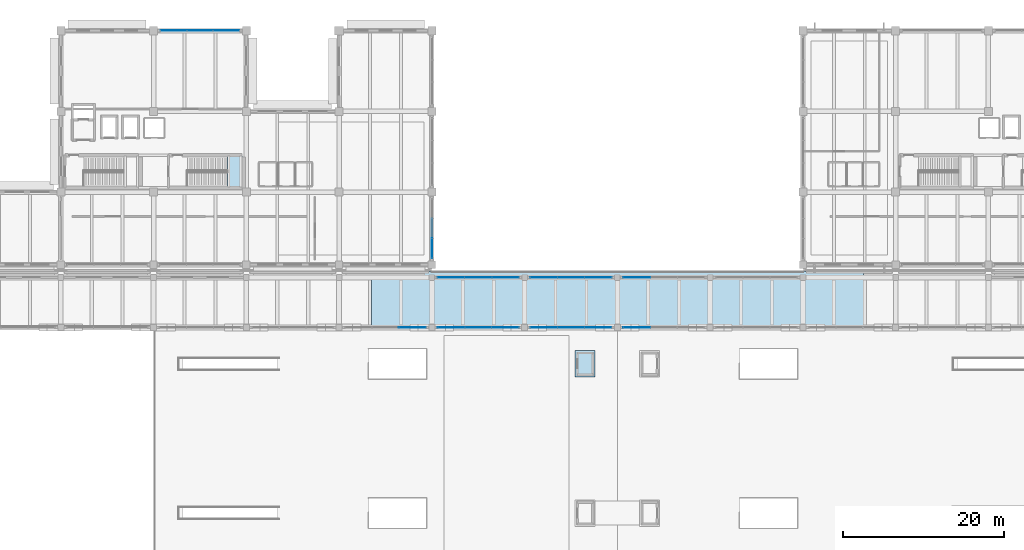
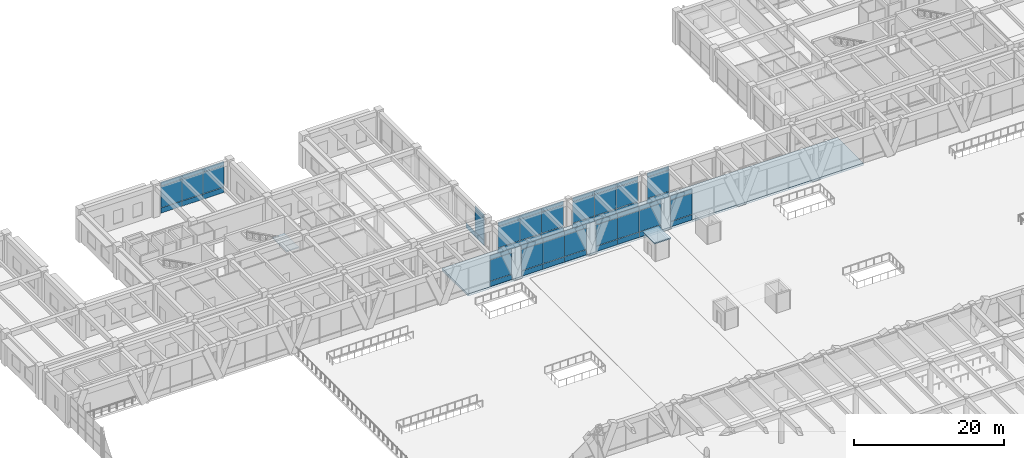
# One storey, part 118 of 148: 58 plates, 3 slabs, 10 elements without a shape of their own.
"""IFC4 building model written with IfcOpenShell, lengths in metres."""

from ifc_helpers import new_model, si_unit, direction, frame, origin, origin_2d, place, context, subcontext, project, spatial, polyline, rectangle, outline, extrude, material, layer, layer_set, type_object, element, aggregate, save


model = new_model("IFC4")

# Units and contexts
model_context = context("Model", 3, precision=1e-05, world=origin(), true_north=direction((0.0, 1.0)))
body_context = subcontext(model_context, "Body", "Model", "MODEL_VIEW")
ifc_project = project(units=[si_unit("LENGTHUNIT", "METRE"), si_unit("AREAUNIT", "SQUARE_METRE"), si_unit("VOLUMEUNIT", "CUBIC_METRE"), si_unit("PLANEANGLEUNIT", "RADIAN"), si_unit("MASSUNIT", "GRAM", prefix="KILO")], contexts=[model_context])

# Site, building, storey
site_placement = place(None, origin())
site = spatial("IfcSite", under=ifc_project, at=site_placement, CompositionType="ELEMENT")
building_placement = place(site_placement, origin())
building = spatial("IfcBuilding", under=site, at=building_placement, Name="Ologun Quay Terminus", CompositionType="ELEMENT")
storey_placement = place(building_placement, frame((0.0, 0.0, 8.39990234375)))
storey = spatial("IfcBuildingStorey", under=building, at=storey_placement, Name="L02", CompositionType="ELEMENT", Elevation=8.39990234375)

# Curtain wall, plates
ifc_material_1 = material(Name="Aluminium 6063-T6", Category="aluminium")
curtain_wall_type_1 = type_object("IfcCurtainWallType", Name="Courtyard Overlook Concourse Curtain Wall 10700x4750", PredefinedType="USERDEFINED", material=ifc_material_1)
curtain_wall_1_placement = place(storey_placement, origin())
curtain_wall_1 = element("IfcCurtainWall", 1, at=curtain_wall_1_placement, inside=storey, type_object=curtain_wall_type_1, Name="CW-12 Curtain Wall CW-L02-080", ObjectType="UNITISED CURTAIN WALL", PredefinedType="USERDEFINED")
ifc_material_2 = material(Name="Aluminium 6063-T6", Category="aluminium")
ifc_layer_1 = layer(ifc_material_2, 0.06005859375)
ifc_layer_set_1 = layer_set([ifc_layer_1], Name="Aluminium 6063-T6")
plate_type_1 = type_object("IfcPlateType", Name="Anodised Bronze Spandrel Panel 60", PredefinedType="CURTAIN_PANEL", material=ifc_layer_set_1)
plate_1_placement = place(storey_placement, frame((71.396728515625, 84.199951171875, 0.0302734375), z_axis=(0.0, 0.0, 1.0), x_axis=(1.0, 0.0, 0.0)))
plate_1 = element("IfcPlate", 2, at=plate_1_placement, type_object=plate_type_1, Name="CW-L02-080 Panel B1-1", PredefinedType="CURTAIN_PANEL", context=body_context, shape_type="SweptSolid", body=[
    extrude(rectangle(XDim=3.353271484375, YDim=0.06005859375, at=origin_2d()), origin(), (0.0, 0.0, 1.0), 0.840087890625),
])
plate_2_placement = place(storey_placement, frame((74.75, 84.199951171875, 0.0302734375), z_axis=(0.0, 0.0, 1.0), x_axis=(1.0, 0.0, 0.0)))
plate_2 = element("IfcPlate", 3, at=plate_2_placement, type_object=plate_type_1, Name="CW-L02-080 Panel B2-1", PredefinedType="CURTAIN_PANEL", context=body_context, shape_type="SweptSolid", body=[
    extrude(rectangle(XDim=3.353271484375, YDim=0.06005859375, at=origin_2d()), origin(), (0.0, 0.0, 1.0), 0.840087890625),
])
plate_3_placement = place(storey_placement, frame((78.103271484375, 84.199951171875, 0.0302734375), z_axis=(0.0, 0.0, 1.0), x_axis=(1.0, 0.0, 0.0)))
plate_3 = element("IfcPlate", 4, at=plate_3_placement, type_object=plate_type_1, Name="CW-L02-080 Panel B3-1", PredefinedType="CURTAIN_PANEL", context=body_context, shape_type="SweptSolid", body=[
    extrude(rectangle(XDim=3.353271484375, YDim=0.06005859375, at=origin_2d()), origin(), (0.0, 0.0, 1.0), 0.840087890625),
])

curtain_wall_2_placement = place(storey_placement, origin())
curtain_wall_2 = element("IfcCurtainWall", 5, at=curtain_wall_2_placement, inside=storey, type_object=curtain_wall_type_1, Name="CW-12 Curtain Wall CW-L02-081", ObjectType="UNITISED CURTAIN WALL", PredefinedType="USERDEFINED")
plate_4_placement = place(storey_placement, frame((82.896728515625, 84.199951171875, 0.0302734375), z_axis=(0.0, 0.0, 1.0), x_axis=(1.0, 0.0, 0.0)))
plate_4 = element("IfcPlate", 6, at=plate_4_placement, type_object=plate_type_1, Name="CW-L02-081 Panel B1-1", PredefinedType="CURTAIN_PANEL", context=body_context, shape_type="SweptSolid", body=[
    extrude(rectangle(XDim=3.353271484375, YDim=0.06005859375, at=origin_2d()), origin(), (0.0, 0.0, 1.0), 0.840087890625),
])
plate_5_placement = place(storey_placement, frame((86.25, 84.199951171875, 0.0302734375), z_axis=(0.0, 0.0, 1.0), x_axis=(1.0, 0.0, 0.0)))
plate_5 = element("IfcPlate", 7, at=plate_5_placement, type_object=plate_type_1, Name="CW-L02-081 Panel B2-1", PredefinedType="CURTAIN_PANEL", context=body_context, shape_type="SweptSolid", body=[
    extrude(rectangle(XDim=3.353271484375, YDim=0.06005859375, at=origin_2d()), origin(), (0.0, 0.0, 1.0), 0.840087890625),
])
plate_6_placement = place(storey_placement, frame((89.603271484375, 84.199951171875, 0.0302734375), z_axis=(0.0, 0.0, 1.0), x_axis=(1.0, 0.0, 0.0)))
plate_6 = element("IfcPlate", 8, at=plate_6_placement, type_object=plate_type_1, Name="CW-L02-081 Panel B3-1", PredefinedType="CURTAIN_PANEL", context=body_context, shape_type="SweptSolid", body=[
    extrude(rectangle(XDim=3.353271484375, YDim=0.06005859375, at=origin_2d()), origin(), (0.0, 0.0, 1.0), 0.840087890625),
])

# Curtain wall, plate
curtain_wall_3_placement = place(storey_placement, origin())
curtain_wall_3 = element("IfcCurtainWall", 9, at=curtain_wall_3_placement, inside=storey, type_object=curtain_wall_type_1, Name="CW-12 Curtain Wall CW-L02-082", ObjectType="UNITISED CURTAIN WALL", PredefinedType="USERDEFINED")
plate_7_placement = place(storey_placement, frame((94.396728515625, 84.199951171875, 0.0302734375), z_axis=(0.0, 0.0, 1.0), x_axis=(1.0, 0.0, 0.0)))
plate_7 = element("IfcPlate", 10, at=plate_7_placement, type_object=plate_type_1, Name="CW-L02-082 Panel B1-1", PredefinedType="CURTAIN_PANEL", context=body_context, shape_type="SweptSolid", body=[
    extrude(rectangle(XDim=3.353271484375, YDim=0.06005859375, at=origin_2d()), origin(), (0.0, 0.0, 1.0), 0.840087890625),
])

# Curtain wall, plates
ifc_material_3 = material(Name="Aluminium 6063-T6", Category="aluminium")
curtain_wall_type_2 = type_object("IfcCurtainWallType", Name="Rain-Garden West Courtyard Curtain Wall L02 8200x5000", PredefinedType="USERDEFINED", material=ifc_material_3)
curtain_wall_4_placement = place(storey_placement, origin())
curtain_wall_4 = element("IfcCurtainWall", 11, at=curtain_wall_4_placement, inside=storey, type_object=curtain_wall_type_2, Name="CW-15 Curtain Wall CW-L02-105", ObjectType="UNITISED CURTAIN WALL", PredefinedType="USERDEFINED")
plate_8_placement = place(storey_placement, frame((69.0, 87.83837890625, 0.0302734375), z_axis=(0.0, 0.0, 1.0), x_axis=(0.0, 1.0, 0.0)))
plate_8 = element("IfcPlate", 12, at=plate_8_placement, type_object=plate_type_1, Name="CW-L02-105 Panel B1-1", PredefinedType="CURTAIN_PANEL", context=body_context, shape_type="SweptSolid", body=[
    extrude(rectangle(XDim=2.436767578125, YDim=0.06005859375, at=origin_2d()), origin(), (0.0, 0.0, 1.0), 0.840087890625),
])
plate_9_placement = place(storey_placement, frame((69.0, 90.27490234375, 0.0302734375), z_axis=(0.0, 0.0, 1.0), x_axis=(0.0, 1.0, 0.0)))
plate_9 = element("IfcPlate", 13, at=plate_9_placement, type_object=plate_type_1, Name="CW-L02-105 Panel B2-1", PredefinedType="CURTAIN_PANEL", context=body_context, shape_type="SweptSolid", body=[
    extrude(rectangle(XDim=2.436767578125, YDim=0.06005859375, at=origin_2d()), origin(), (0.0, 0.0, 1.0), 0.840087890625),
])

ifc_material_4 = material(Name="Aluminium 6063-T6", Category="aluminium")
curtain_wall_type_3 = type_object("IfcCurtainWallType", Name="Waterfront Pavilion Harbour Curtain Wall L02 10500x5000", PredefinedType="USERDEFINED", material=ifc_material_4)
curtain_wall_5_placement = place(storey_placement, origin())
curtain_wall_5 = element("IfcCurtainWall", 14, at=curtain_wall_5_placement, inside=storey, type_object=curtain_wall_type_3, Name="CW-24 Curtain Wall CW-L02-108", ObjectType="UNITISED CURTAIN WALL", PredefinedType="USERDEFINED")
plate_10_placement = place(storey_placement, frame((36.99658203125, 114.800048828125, 0.0302734375), z_axis=(0.0, 0.0, 1.0), x_axis=(1.0, 0.0, 0.0)))
plate_10 = element("IfcPlate", 15, at=plate_10_placement, type_object=plate_type_1, Name="CW-L02-108 Panel B1-1", PredefinedType="CURTAIN_PANEL", context=body_context, shape_type="SweptSolid", body=[
    extrude(rectangle(XDim=3.25341796875, YDim=0.06005859375, at=origin_2d()), origin(), (0.0, 0.0, 1.0), 0.840087890625),
])
plate_11_placement = place(storey_placement, frame((40.25, 114.800048828125, 0.0302734375), z_axis=(0.0, 0.0, 1.0), x_axis=(1.0, 0.0, 0.0)))
plate_11 = element("IfcPlate", 16, at=plate_11_placement, type_object=plate_type_1, Name="CW-L02-108 Panel B2-1", PredefinedType="CURTAIN_PANEL", context=body_context, shape_type="SweptSolid", body=[
    extrude(rectangle(XDim=3.25341796875, YDim=0.06005859375, at=origin_2d()), origin(), (0.0, 0.0, 1.0), 0.840087890625),
])
plate_12_placement = place(storey_placement, frame((43.50341796875, 114.800048828125, 0.0302734375), z_axis=(0.0, 0.0, 1.0), x_axis=(1.0, 0.0, 0.0)))
plate_12 = element("IfcPlate", 17, at=plate_12_placement, type_object=plate_type_1, Name="CW-L02-108 Panel B3-1", PredefinedType="CURTAIN_PANEL", context=body_context, shape_type="SweptSolid", body=[
    extrude(rectangle(XDim=3.25341796875, YDim=0.06005859375, at=origin_2d()), origin(), (0.0, 0.0, 1.0), 0.840087890625),
])

# Slab
ifc_material_5 = material(Name="Concrete C40/50", Category="concrete")
ifc_layer_2 = layer(ifc_material_5, 0.35009765625)
ifc_layer_set_2 = layer_set([ifc_layer_2], Name="Concrete C40/50")
slab_type_1 = type_object("IfcSlabType", Name="Elevated Concourse Deck Slab 350", PredefinedType="FLOOR", material=ifc_layer_set_2)
slab_1_placement = place(storey_placement, frame((0.0, 0.0, -0.349853515625)))
element("IfcSlab", 18, at=slab_1_placement, inside=storey, type_object=slab_type_1, Name="SL-CON North Concourse Courtyard Overlook Slab 2", PredefinedType="FLOOR", context=body_context, shape_type="SweptSolid", body=[
    extrude(outline(polyline([(61.5, 78.0), (122.5, 78.0), (122.5, 84.96240234375), (61.5, 84.96240234375), (61.5, 78.0)])), origin(), (0.0, 0.0, 1.0), 0.349853515625),
])

# Plate
ifc_material_6 = material(Name="Glass", Category="glass")
ifc_layer_3 = layer(ifc_material_6, 0.035888671875)
ifc_layer_set_3 = layer_set([ifc_layer_3], Name="Glass")
plate_type_2 = type_object("IfcPlateType", Name="High-Selectivity Harbour Glazed Panel 36", PredefinedType="CURTAIN_PANEL", material=ifc_layer_set_3)
plate_13_placement = place(storey_placement, frame((71.396728515625, 84.199951171875, 0.93017578125), z_axis=(0.0, 0.0, 1.0), x_axis=(1.0, 0.0, 0.0)))
plate_13 = element("IfcPlate", 19, at=plate_13_placement, type_object=plate_type_2, Name="CW-L02-080 Panel B1-2", PredefinedType="CURTAIN_PANEL", context=body_context, shape_type="SweptSolid", body=[
    extrude(rectangle(XDim=3.353271484375, YDim=0.035888671875, at=origin_2d()), origin(), (0.0, 0.0, 1.0), 3.43994140625),
])

plate_14_placement = place(storey_placement, frame((71.396728515625, 84.199951171875, 4.43017578125), z_axis=(0.0, 0.0, 1.0), x_axis=(1.0, 0.0, 0.0)))
plate_14 = element("IfcPlate", 20, at=plate_14_placement, type_object=plate_type_2, Name="CW-L02-080 Panel B1-3", PredefinedType="CURTAIN_PANEL", context=body_context, shape_type="SweptSolid", body=[
    extrude(rectangle(XDim=3.353271484375, YDim=0.035888671875, at=origin_2d()), origin(), (0.0, 0.0, 1.0), 0.639892578125),
])

plate_15_placement = place(storey_placement, frame((74.75, 84.199951171875, 0.93017578125), z_axis=(0.0, 0.0, 1.0), x_axis=(1.0, 0.0, 0.0)))
plate_15 = element("IfcPlate", 21, at=plate_15_placement, type_object=plate_type_2, Name="CW-L02-080 Panel B2-2", PredefinedType="CURTAIN_PANEL", context=body_context, shape_type="SweptSolid", body=[
    extrude(rectangle(XDim=3.353271484375, YDim=0.035888671875, at=origin_2d()), origin(), (0.0, 0.0, 1.0), 3.43994140625),
])

plate_16_placement = place(storey_placement, frame((74.75, 84.199951171875, 4.43017578125), z_axis=(0.0, 0.0, 1.0), x_axis=(1.0, 0.0, 0.0)))
plate_16 = element("IfcPlate", 22, at=plate_16_placement, type_object=plate_type_2, Name="CW-L02-080 Panel B2-3", PredefinedType="CURTAIN_PANEL", context=body_context, shape_type="SweptSolid", body=[
    extrude(rectangle(XDim=3.353271484375, YDim=0.035888671875, at=origin_2d()), origin(), (0.0, 0.0, 1.0), 0.639892578125),
])

plate_17_placement = place(storey_placement, frame((78.103271484375, 84.199951171875, 0.93017578125), z_axis=(0.0, 0.0, 1.0), x_axis=(1.0, 0.0, 0.0)))
plate_17 = element("IfcPlate", 23, at=plate_17_placement, type_object=plate_type_2, Name="CW-L02-080 Panel B3-2", PredefinedType="CURTAIN_PANEL", context=body_context, shape_type="SweptSolid", body=[
    extrude(rectangle(XDim=3.353271484375, YDim=0.035888671875, at=origin_2d()), origin(), (0.0, 0.0, 1.0), 3.43994140625),
])

plate_18_placement = place(storey_placement, frame((78.103271484375, 84.199951171875, 4.43017578125), z_axis=(0.0, 0.0, 1.0), x_axis=(1.0, 0.0, 0.0)))
plate_18 = element("IfcPlate", 24, at=plate_18_placement, type_object=plate_type_2, Name="CW-L02-080 Panel B3-3", PredefinedType="CURTAIN_PANEL", context=body_context, shape_type="SweptSolid", body=[
    extrude(rectangle(XDim=3.353271484375, YDim=0.035888671875, at=origin_2d()), origin(), (0.0, 0.0, 1.0), 0.639892578125),
])

aggregate(curtain_wall_1, [plate_1, plate_13, plate_14, plate_2, plate_15, plate_16, plate_3, plate_17, plate_18])

plate_19_placement = place(storey_placement, frame((82.896728515625, 84.199951171875, 0.93017578125), z_axis=(0.0, 0.0, 1.0), x_axis=(1.0, 0.0, 0.0)))
plate_19 = element("IfcPlate", 25, at=plate_19_placement, type_object=plate_type_2, Name="CW-L02-081 Panel B1-2", PredefinedType="CURTAIN_PANEL", context=body_context, shape_type="SweptSolid", body=[
    extrude(rectangle(XDim=3.353271484375, YDim=0.035888671875, at=origin_2d()), origin(), (0.0, 0.0, 1.0), 3.43994140625),
])

plate_20_placement = place(storey_placement, frame((82.896728515625, 84.199951171875, 4.43017578125), z_axis=(0.0, 0.0, 1.0), x_axis=(1.0, 0.0, 0.0)))
plate_20 = element("IfcPlate", 26, at=plate_20_placement, type_object=plate_type_2, Name="CW-L02-081 Panel B1-3", PredefinedType="CURTAIN_PANEL", context=body_context, shape_type="SweptSolid", body=[
    extrude(rectangle(XDim=3.353271484375, YDim=0.035888671875, at=origin_2d()), origin(), (0.0, 0.0, 1.0), 0.639892578125),
])

plate_21_placement = place(storey_placement, frame((86.25, 84.199951171875, 0.93017578125), z_axis=(0.0, 0.0, 1.0), x_axis=(1.0, 0.0, 0.0)))
plate_21 = element("IfcPlate", 27, at=plate_21_placement, type_object=plate_type_2, Name="CW-L02-081 Panel B2-2", PredefinedType="CURTAIN_PANEL", context=body_context, shape_type="SweptSolid", body=[
    extrude(rectangle(XDim=3.353271484375, YDim=0.035888671875, at=origin_2d()), origin(), (0.0, 0.0, 1.0), 3.43994140625),
])

plate_22_placement = place(storey_placement, frame((86.25, 84.199951171875, 4.43017578125), z_axis=(0.0, 0.0, 1.0), x_axis=(1.0, 0.0, 0.0)))
plate_22 = element("IfcPlate", 28, at=plate_22_placement, type_object=plate_type_2, Name="CW-L02-081 Panel B2-3", PredefinedType="CURTAIN_PANEL", context=body_context, shape_type="SweptSolid", body=[
    extrude(rectangle(XDim=3.353271484375, YDim=0.035888671875, at=origin_2d()), origin(), (0.0, 0.0, 1.0), 0.639892578125),
])

plate_23_placement = place(storey_placement, frame((89.603271484375, 84.199951171875, 0.93017578125), z_axis=(0.0, 0.0, 1.0), x_axis=(1.0, 0.0, 0.0)))
plate_23 = element("IfcPlate", 29, at=plate_23_placement, type_object=plate_type_2, Name="CW-L02-081 Panel B3-2", PredefinedType="CURTAIN_PANEL", context=body_context, shape_type="SweptSolid", body=[
    extrude(rectangle(XDim=3.353271484375, YDim=0.035888671875, at=origin_2d()), origin(), (0.0, 0.0, 1.0), 3.43994140625),
])

plate_24_placement = place(storey_placement, frame((89.603271484375, 84.199951171875, 4.43017578125), z_axis=(0.0, 0.0, 1.0), x_axis=(1.0, 0.0, 0.0)))
plate_24 = element("IfcPlate", 30, at=plate_24_placement, type_object=plate_type_2, Name="CW-L02-081 Panel B3-3", PredefinedType="CURTAIN_PANEL", context=body_context, shape_type="SweptSolid", body=[
    extrude(rectangle(XDim=3.353271484375, YDim=0.035888671875, at=origin_2d()), origin(), (0.0, 0.0, 1.0), 0.639892578125),
])

aggregate(curtain_wall_2, [plate_4, plate_19, plate_20, plate_5, plate_21, plate_22, plate_6, plate_23, plate_24])

plate_25_placement = place(storey_placement, frame((94.396728515625, 84.199951171875, 0.93017578125), z_axis=(0.0, 0.0, 1.0), x_axis=(1.0, 0.0, 0.0)))
plate_25 = element("IfcPlate", 31, at=plate_25_placement, type_object=plate_type_2, Name="CW-L02-082 Panel B1-2", PredefinedType="CURTAIN_PANEL", context=body_context, shape_type="SweptSolid", body=[
    extrude(rectangle(XDim=3.353271484375, YDim=0.035888671875, at=origin_2d()), origin(), (0.0, 0.0, 1.0), 3.43994140625),
])

plate_26_placement = place(storey_placement, frame((94.396728515625, 84.199951171875, 4.43017578125), z_axis=(0.0, 0.0, 1.0), x_axis=(1.0, 0.0, 0.0)))
plate_26 = element("IfcPlate", 32, at=plate_26_placement, type_object=plate_type_2, Name="CW-L02-082 Panel B1-3", PredefinedType="CURTAIN_PANEL", context=body_context, shape_type="SweptSolid", body=[
    extrude(rectangle(XDim=3.353271484375, YDim=0.035888671875, at=origin_2d()), origin(), (0.0, 0.0, 1.0), 0.639892578125),
])

aggregate(curtain_wall_3, [plate_7, plate_25, plate_26])

plate_27_placement = place(storey_placement, frame((69.0, 87.83837890625, 0.93017578125), z_axis=(0.0, 0.0, 1.0), x_axis=(0.0, 1.0, 0.0)))
plate_27 = element("IfcPlate", 33, at=plate_27_placement, type_object=plate_type_2, Name="CW-L02-105 Panel B1-2", PredefinedType="CURTAIN_PANEL", context=body_context, shape_type="SweptSolid", body=[
    extrude(rectangle(XDim=2.436767578125, YDim=0.035888671875, at=origin_2d()), origin(), (0.0, 0.0, 1.0), 3.469970703125),
])

plate_28_placement = place(storey_placement, frame((69.0, 87.83837890625, 4.4599609375), z_axis=(0.0, 0.0, 1.0), x_axis=(0.0, 1.0, 0.0)))
plate_28 = element("IfcPlate", 34, at=plate_28_placement, type_object=plate_type_2, Name="CW-L02-105 Panel B1-3", PredefinedType="CURTAIN_PANEL", context=body_context, shape_type="SweptSolid", body=[
    extrude(rectangle(XDim=2.436767578125, YDim=0.035888671875, at=origin_2d()), origin(), (0.0, 0.0, 1.0), 0.639892578125),
])

aggregate(curtain_wall_4, [plate_8, plate_27, plate_28, plate_9])

plate_29_placement = place(storey_placement, frame((36.99658203125, 114.800048828125, 0.93017578125), z_axis=(0.0, 0.0, 1.0), x_axis=(1.0, 0.0, 0.0)))
plate_29 = element("IfcPlate", 35, at=plate_29_placement, type_object=plate_type_2, Name="CW-L02-108 Panel B1-2", PredefinedType="CURTAIN_PANEL", context=body_context, shape_type="SweptSolid", body=[
    extrude(rectangle(XDim=3.25341796875, YDim=0.035888671875, at=origin_2d()), origin(), (0.0, 0.0, 1.0), 3.469970703125),
])

plate_30_placement = place(storey_placement, frame((36.99658203125, 114.800048828125, 4.4599609375), z_axis=(0.0, 0.0, 1.0), x_axis=(1.0, 0.0, 0.0)))
plate_30 = element("IfcPlate", 36, at=plate_30_placement, type_object=plate_type_2, Name="CW-L02-108 Panel B1-3", PredefinedType="CURTAIN_PANEL", context=body_context, shape_type="SweptSolid", body=[
    extrude(rectangle(XDim=3.25341796875, YDim=0.035888671875, at=origin_2d()), origin(), (0.0, 0.0, 1.0), 0.639892578125),
])

plate_31_placement = place(storey_placement, frame((40.25, 114.800048828125, 0.93017578125), z_axis=(0.0, 0.0, 1.0), x_axis=(1.0, 0.0, 0.0)))
plate_31 = element("IfcPlate", 37, at=plate_31_placement, type_object=plate_type_2, Name="CW-L02-108 Panel B2-2", PredefinedType="CURTAIN_PANEL", context=body_context, shape_type="SweptSolid", body=[
    extrude(rectangle(XDim=3.25341796875, YDim=0.035888671875, at=origin_2d()), origin(), (0.0, 0.0, 1.0), 3.469970703125),
])

plate_32_placement = place(storey_placement, frame((40.25, 114.800048828125, 4.4599609375), z_axis=(0.0, 0.0, 1.0), x_axis=(1.0, 0.0, 0.0)))
plate_32 = element("IfcPlate", 38, at=plate_32_placement, type_object=plate_type_2, Name="CW-L02-108 Panel B2-3", PredefinedType="CURTAIN_PANEL", context=body_context, shape_type="SweptSolid", body=[
    extrude(rectangle(XDim=3.25341796875, YDim=0.035888671875, at=origin_2d()), origin(), (0.0, 0.0, 1.0), 0.639892578125),
])

plate_33_placement = place(storey_placement, frame((43.50341796875, 114.800048828125, 0.93017578125), z_axis=(0.0, 0.0, 1.0), x_axis=(1.0, 0.0, 0.0)))
plate_33 = element("IfcPlate", 39, at=plate_33_placement, type_object=plate_type_2, Name="CW-L02-108 Panel B3-2", PredefinedType="CURTAIN_PANEL", context=body_context, shape_type="SweptSolid", body=[
    extrude(rectangle(XDim=3.25341796875, YDim=0.035888671875, at=origin_2d()), origin(), (0.0, 0.0, 1.0), 3.469970703125),
])

plate_34_placement = place(storey_placement, frame((43.50341796875, 114.800048828125, 4.4599609375), z_axis=(0.0, 0.0, 1.0), x_axis=(1.0, 0.0, 0.0)))
plate_34 = element("IfcPlate", 40, at=plate_34_placement, type_object=plate_type_2, Name="CW-L02-108 Panel B3-3", PredefinedType="CURTAIN_PANEL", context=body_context, shape_type="SweptSolid", body=[
    extrude(rectangle(XDim=3.25341796875, YDim=0.035888671875, at=origin_2d()), origin(), (0.0, 0.0, 1.0), 0.639892578125),
])

aggregate(curtain_wall_5, [plate_10, plate_29, plate_30, plate_11, plate_31, plate_32, plate_12, plate_33, plate_34])

# Curtain wall, plate
ifc_material_7 = material(Name="Aluminium 6063-T6", Category="aluminium")
curtain_wall_type_4 = type_object("IfcCurtainWallType", Name="Train Shed North Clerestory Curtain Wall 10700x4850", PredefinedType="USERDEFINED", material=ifc_material_7)
curtain_wall_6_placement = place(storey_placement, origin())
curtain_wall_6 = element("IfcCurtainWall", 41, at=curtain_wall_6_placement, inside=storey, type_object=curtain_wall_type_4, Name="CW-09 Curtain Wall CW-L02-055", ObjectType="UNITISED CURTAIN WALL", PredefinedType="USERDEFINED")
ifc_material_8 = material(Name="Aluminium 6063-T6", Category="aluminium")
ifc_layer_4 = layer(ifc_material_8, 0.050048828125)
ifc_layer_set_4 = layer_set([ifc_layer_4], Name="Aluminium 6063-T6")
plate_type_3 = type_object("IfcPlateType", Name="Insulated Aluminium Shadow-Box Spandrel 50", PredefinedType="CURTAIN_PANEL", material=ifc_layer_set_4)
plate_35_placement = place(storey_placement, frame((66.586669921875, 78.0, 0.0302734375), z_axis=(0.0, 0.0, 1.0), x_axis=(1.0, 0.0, 0.0)))
plate_35 = element("IfcPlate", 42, at=plate_35_placement, type_object=plate_type_3, Name="CW-L02-055 Panel B3-1", PredefinedType="CURTAIN_PANEL", context=body_context, shape_type="SweptSolid", body=[
    extrude(rectangle(XDim=3.336669921875, YDim=0.050048828125, at=origin_2d()), origin(), (0.0, 0.0, 1.0), 0.840087890625),
])

# Curtain wall, plates
curtain_wall_7_placement = place(storey_placement, origin())
curtain_wall_7 = element("IfcCurtainWall", 43, at=curtain_wall_7_placement, inside=storey, type_object=curtain_wall_type_4, Name="CW-09 Curtain Wall CW-L02-057", ObjectType="UNITISED CURTAIN WALL", PredefinedType="USERDEFINED")
plate_36_placement = place(storey_placement, frame((71.413330078125, 78.0, 0.0302734375), z_axis=(0.0, 0.0, 1.0), x_axis=(1.0, 0.0, 0.0)))
plate_36 = element("IfcPlate", 44, at=plate_36_placement, type_object=plate_type_3, Name="CW-L02-057 Panel B1-1", PredefinedType="CURTAIN_PANEL", context=body_context, shape_type="SweptSolid", body=[
    extrude(rectangle(XDim=3.336669921875, YDim=0.050048828125, at=origin_2d()), origin(), (0.0, 0.0, 1.0), 0.840087890625),
])
plate_37_placement = place(storey_placement, frame((74.75, 78.0, 0.0302734375), z_axis=(0.0, 0.0, 1.0), x_axis=(1.0, 0.0, 0.0)))
plate_37 = element("IfcPlate", 45, at=plate_37_placement, type_object=plate_type_3, Name="CW-L02-057 Panel B2-1", PredefinedType="CURTAIN_PANEL", context=body_context, shape_type="SweptSolid", body=[
    extrude(rectangle(XDim=3.336669921875, YDim=0.050048828125, at=origin_2d()), origin(), (0.0, 0.0, 1.0), 0.840087890625),
])
plate_38_placement = place(storey_placement, frame((78.086669921875, 78.0, 0.0302734375), z_axis=(0.0, 0.0, 1.0), x_axis=(1.0, 0.0, 0.0)))
plate_38 = element("IfcPlate", 46, at=plate_38_placement, type_object=plate_type_3, Name="CW-L02-057 Panel B3-1", PredefinedType="CURTAIN_PANEL", context=body_context, shape_type="SweptSolid", body=[
    extrude(rectangle(XDim=3.336669921875, YDim=0.050048828125, at=origin_2d()), origin(), (0.0, 0.0, 1.0), 0.840087890625),
])

curtain_wall_8_placement = place(storey_placement, origin())
curtain_wall_8 = element("IfcCurtainWall", 47, at=curtain_wall_8_placement, inside=storey, type_object=curtain_wall_type_4, Name="CW-09 Curtain Wall CW-L02-059", ObjectType="UNITISED CURTAIN WALL", PredefinedType="USERDEFINED")
plate_39_placement = place(storey_placement, frame((82.913330078125, 78.0, 0.0302734375), z_axis=(0.0, 0.0, 1.0), x_axis=(1.0, 0.0, 0.0)))
plate_39 = element("IfcPlate", 48, at=plate_39_placement, type_object=plate_type_3, Name="CW-L02-059 Panel B1-1", PredefinedType="CURTAIN_PANEL", context=body_context, shape_type="SweptSolid", body=[
    extrude(rectangle(XDim=3.336669921875, YDim=0.050048828125, at=origin_2d()), origin(), (0.0, 0.0, 1.0), 0.840087890625),
])
plate_40_placement = place(storey_placement, frame((86.25, 78.0, 0.0302734375), z_axis=(0.0, 0.0, 1.0), x_axis=(1.0, 0.0, 0.0)))
plate_40 = element("IfcPlate", 49, at=plate_40_placement, type_object=plate_type_3, Name="CW-L02-059 Panel B2-1", PredefinedType="CURTAIN_PANEL", context=body_context, shape_type="SweptSolid", body=[
    extrude(rectangle(XDim=3.336669921875, YDim=0.050048828125, at=origin_2d()), origin(), (0.0, 0.0, 1.0), 0.840087890625),
])
plate_41_placement = place(storey_placement, frame((89.586669921875, 78.0, 0.0302734375), z_axis=(0.0, 0.0, 1.0), x_axis=(1.0, 0.0, 0.0)))
plate_41 = element("IfcPlate", 50, at=plate_41_placement, type_object=plate_type_3, Name="CW-L02-059 Panel B3-1", PredefinedType="CURTAIN_PANEL", context=body_context, shape_type="SweptSolid", body=[
    extrude(rectangle(XDim=3.336669921875, YDim=0.050048828125, at=origin_2d()), origin(), (0.0, 0.0, 1.0), 0.840087890625),
])

# Curtain wall, plate
curtain_wall_9_placement = place(storey_placement, origin())
curtain_wall_9 = element("IfcCurtainWall", 51, at=curtain_wall_9_placement, inside=storey, type_object=curtain_wall_type_4, Name="CW-09 Curtain Wall CW-L02-061", ObjectType="UNITISED CURTAIN WALL", PredefinedType="USERDEFINED")
plate_42_placement = place(storey_placement, frame((94.413330078125, 78.0, 0.0302734375), z_axis=(0.0, 0.0, 1.0), x_axis=(1.0, 0.0, 0.0)))
plate_42 = element("IfcPlate", 52, at=plate_42_placement, type_object=plate_type_3, Name="CW-L02-061 Panel B1-1", PredefinedType="CURTAIN_PANEL", context=body_context, shape_type="SweptSolid", body=[
    extrude(rectangle(XDim=3.336669921875, YDim=0.050048828125, at=origin_2d()), origin(), (0.0, 0.0, 1.0), 0.840087890625),
])

# Slab
ifc_material_9 = material(Name="Concrete C40/50", Category="concrete")
ifc_layer_5 = layer(ifc_material_9, 0.199951171875)
ifc_layer_set_5 = layer_set([ifc_layer_5], Name="Concrete C40/50")
slab_type_2 = type_object("IfcSlabType", Name="Pitched Overhanging Concrete Roof Slab 200", PredefinedType="ROOF", material=ifc_layer_set_5)
slab_2_placement = place(storey_placement, frame((0.0, 0.0, 3.0)))
element("IfcSlab", 53, at=slab_2_placement, inside=storey, type_object=slab_type_2, Name="SL-RF Platform Lift Overrun Cap 3", PredefinedType="ROOF", context=body_context, shape_type="SweptSolid", body=[
    extrude(outline(polyline([(89.25, 71.85009765625), (89.25, 75.14990234375), (86.75, 75.14990234375), (86.75, 71.85009765625), (89.25, 71.85009765625)])), origin(), (0.0, 0.0, 1.0), 0.2001953125),
])

# Stair, slab
ifc_material_10 = material(Name="Concrete C40/50", Category="concrete")
stair_type = type_object("IfcStairType", Name="Courtyard Wing Concourse Core Stair 1700", PredefinedType="HALF_TURN_STAIR", material=ifc_material_10)
stair_placement = place(storey_placement, origin())
stair = element("IfcStair", 54, at=stair_placement, inside=storey, type_object=stair_type, Name="ST-W2 Stair L02", PredefinedType="HALF_TURN_STAIR")
ifc_material_11 = material(Name="Precast Concrete C40/50", Category="concrete")
ifc_layer_6 = layer(ifc_material_11, 0.179931640625)
ifc_layer_set_6 = layer_set([ifc_layer_6], Name="Precast Concrete C40/50")
slab_type_3 = type_object("IfcSlabType", Name="Precast Stair Half-Landing Slab 180", PredefinedType="LANDING", material=ifc_layer_set_6)
slab_3_placement = place(storey_placement, frame((0.0, 0.0, 2.52001953125)))
slab_3 = element("IfcSlab", 55, at=slab_3_placement, type_object=slab_type_3, Name="ST-W2 Half-Landing L02", PredefinedType="LANDING", context=body_context, shape_type="SweptSolid", body=[
    extrude(outline(polyline([(43.60009765625, 95.469970703125), (45.530029296875, 95.469970703125), (45.530029296875, 99.22998046875), (43.60009765625, 99.22998046875), (43.60009765625, 95.469970703125)])), origin(), (0.0, 0.0, 1.0), 0.18017578125),
])
aggregate(stair, [slab_3])

# Plate
ifc_material_12 = material(Name="Glass", Category="glass")
ifc_layer_7 = layer(ifc_material_12, 0.028076171875)
ifc_layer_set_7 = layer_set([ifc_layer_7], Name="Glass")
plate_type_4 = type_object("IfcPlateType", Name="Solar-Control Double Glazed Panel 28", PredefinedType="CURTAIN_PANEL", material=ifc_layer_set_7)
plate_43_placement = place(storey_placement, frame((66.586669921875, 78.0, 0.93017578125), z_axis=(0.0, 0.0, 1.0), x_axis=(1.0, 0.0, 0.0)))
plate_43 = element("IfcPlate", 56, at=plate_43_placement, type_object=plate_type_4, Name="CW-L02-055 Panel B3-2", PredefinedType="CURTAIN_PANEL", context=body_context, shape_type="SweptSolid", body=[
    extrude(rectangle(XDim=3.336669921875, YDim=0.028076171875, at=origin_2d()), origin(), (0.0, 0.0, 1.0), 3.43994140625),
])

plate_44_placement = place(storey_placement, frame((66.586669921875, 78.0, 4.43017578125), z_axis=(0.0, 0.0, 1.0), x_axis=(1.0, 0.0, 0.0)))
plate_44 = element("IfcPlate", 57, at=plate_44_placement, type_object=plate_type_4, Name="CW-L02-055 Panel B3-3", PredefinedType="CURTAIN_PANEL", context=body_context, shape_type="SweptSolid", body=[
    extrude(rectangle(XDim=3.336669921875, YDim=0.028076171875, at=origin_2d()), origin(), (0.0, 0.0, 1.0), 0.639892578125),
])

aggregate(curtain_wall_6, [plate_35, plate_43, plate_44])

plate_45_placement = place(storey_placement, frame((71.413330078125, 78.0, 0.93017578125), z_axis=(0.0, 0.0, 1.0), x_axis=(1.0, 0.0, 0.0)))
plate_45 = element("IfcPlate", 58, at=plate_45_placement, type_object=plate_type_4, Name="CW-L02-057 Panel B1-2", PredefinedType="CURTAIN_PANEL", context=body_context, shape_type="SweptSolid", body=[
    extrude(rectangle(XDim=3.336669921875, YDim=0.028076171875, at=origin_2d()), origin(), (0.0, 0.0, 1.0), 3.43994140625),
])

plate_46_placement = place(storey_placement, frame((71.413330078125, 78.0, 4.43017578125), z_axis=(0.0, 0.0, 1.0), x_axis=(1.0, 0.0, 0.0)))
plate_46 = element("IfcPlate", 59, at=plate_46_placement, type_object=plate_type_4, Name="CW-L02-057 Panel B1-3", PredefinedType="CURTAIN_PANEL", context=body_context, shape_type="SweptSolid", body=[
    extrude(rectangle(XDim=3.336669921875, YDim=0.028076171875, at=origin_2d()), origin(), (0.0, 0.0, 1.0), 0.639892578125),
])

plate_47_placement = place(storey_placement, frame((74.75, 78.0, 0.93017578125), z_axis=(0.0, 0.0, 1.0), x_axis=(1.0, 0.0, 0.0)))
plate_47 = element("IfcPlate", 60, at=plate_47_placement, type_object=plate_type_4, Name="CW-L02-057 Panel B2-2", PredefinedType="CURTAIN_PANEL", context=body_context, shape_type="SweptSolid", body=[
    extrude(rectangle(XDim=3.336669921875, YDim=0.028076171875, at=origin_2d()), origin(), (0.0, 0.0, 1.0), 3.43994140625),
])

plate_48_placement = place(storey_placement, frame((74.75, 78.0, 4.43017578125), z_axis=(0.0, 0.0, 1.0), x_axis=(1.0, 0.0, 0.0)))
plate_48 = element("IfcPlate", 61, at=plate_48_placement, type_object=plate_type_4, Name="CW-L02-057 Panel B2-3", PredefinedType="CURTAIN_PANEL", context=body_context, shape_type="SweptSolid", body=[
    extrude(rectangle(XDim=3.336669921875, YDim=0.028076171875, at=origin_2d()), origin(), (0.0, 0.0, 1.0), 0.639892578125),
])

plate_49_placement = place(storey_placement, frame((78.086669921875, 78.0, 0.93017578125), z_axis=(0.0, 0.0, 1.0), x_axis=(1.0, 0.0, 0.0)))
plate_49 = element("IfcPlate", 62, at=plate_49_placement, type_object=plate_type_4, Name="CW-L02-057 Panel B3-2", PredefinedType="CURTAIN_PANEL", context=body_context, shape_type="SweptSolid", body=[
    extrude(rectangle(XDim=3.336669921875, YDim=0.028076171875, at=origin_2d()), origin(), (0.0, 0.0, 1.0), 3.43994140625),
])

plate_50_placement = place(storey_placement, frame((78.086669921875, 78.0, 4.43017578125), z_axis=(0.0, 0.0, 1.0), x_axis=(1.0, 0.0, 0.0)))
plate_50 = element("IfcPlate", 63, at=plate_50_placement, type_object=plate_type_4, Name="CW-L02-057 Panel B3-3", PredefinedType="CURTAIN_PANEL", context=body_context, shape_type="SweptSolid", body=[
    extrude(rectangle(XDim=3.336669921875, YDim=0.028076171875, at=origin_2d()), origin(), (0.0, 0.0, 1.0), 0.639892578125),
])

aggregate(curtain_wall_7, [plate_36, plate_45, plate_46, plate_37, plate_47, plate_48, plate_38, plate_49, plate_50])

plate_51_placement = place(storey_placement, frame((82.913330078125, 78.0, 0.93017578125), z_axis=(0.0, 0.0, 1.0), x_axis=(1.0, 0.0, 0.0)))
plate_51 = element("IfcPlate", 64, at=plate_51_placement, type_object=plate_type_4, Name="CW-L02-059 Panel B1-2", PredefinedType="CURTAIN_PANEL", context=body_context, shape_type="SweptSolid", body=[
    extrude(rectangle(XDim=3.336669921875, YDim=0.028076171875, at=origin_2d()), origin(), (0.0, 0.0, 1.0), 3.43994140625),
])

plate_52_placement = place(storey_placement, frame((82.913330078125, 78.0, 4.43017578125), z_axis=(0.0, 0.0, 1.0), x_axis=(1.0, 0.0, 0.0)))
plate_52 = element("IfcPlate", 65, at=plate_52_placement, type_object=plate_type_4, Name="CW-L02-059 Panel B1-3", PredefinedType="CURTAIN_PANEL", context=body_context, shape_type="SweptSolid", body=[
    extrude(rectangle(XDim=3.336669921875, YDim=0.028076171875, at=origin_2d()), origin(), (0.0, 0.0, 1.0), 0.639892578125),
])

plate_53_placement = place(storey_placement, frame((86.25, 78.0, 0.93017578125), z_axis=(0.0, 0.0, 1.0), x_axis=(1.0, 0.0, 0.0)))
plate_53 = element("IfcPlate", 66, at=plate_53_placement, type_object=plate_type_4, Name="CW-L02-059 Panel B2-2", PredefinedType="CURTAIN_PANEL", context=body_context, shape_type="SweptSolid", body=[
    extrude(rectangle(XDim=3.336669921875, YDim=0.028076171875, at=origin_2d()), origin(), (0.0, 0.0, 1.0), 3.43994140625),
])

plate_54_placement = place(storey_placement, frame((86.25, 78.0, 4.43017578125), z_axis=(0.0, 0.0, 1.0), x_axis=(1.0, 0.0, 0.0)))
plate_54 = element("IfcPlate", 67, at=plate_54_placement, type_object=plate_type_4, Name="CW-L02-059 Panel B2-3", PredefinedType="CURTAIN_PANEL", context=body_context, shape_type="SweptSolid", body=[
    extrude(rectangle(XDim=3.336669921875, YDim=0.028076171875, at=origin_2d()), origin(), (0.0, 0.0, 1.0), 0.639892578125),
])

plate_55_placement = place(storey_placement, frame((89.586669921875, 78.0, 0.93017578125), z_axis=(0.0, 0.0, 1.0), x_axis=(1.0, 0.0, 0.0)))
plate_55 = element("IfcPlate", 68, at=plate_55_placement, type_object=plate_type_4, Name="CW-L02-059 Panel B3-2", PredefinedType="CURTAIN_PANEL", context=body_context, shape_type="SweptSolid", body=[
    extrude(rectangle(XDim=3.336669921875, YDim=0.028076171875, at=origin_2d()), origin(), (0.0, 0.0, 1.0), 3.43994140625),
])

plate_56_placement = place(storey_placement, frame((89.586669921875, 78.0, 4.43017578125), z_axis=(0.0, 0.0, 1.0), x_axis=(1.0, 0.0, 0.0)))
plate_56 = element("IfcPlate", 69, at=plate_56_placement, type_object=plate_type_4, Name="CW-L02-059 Panel B3-3", PredefinedType="CURTAIN_PANEL", context=body_context, shape_type="SweptSolid", body=[
    extrude(rectangle(XDim=3.336669921875, YDim=0.028076171875, at=origin_2d()), origin(), (0.0, 0.0, 1.0), 0.639892578125),
])

aggregate(curtain_wall_8, [plate_39, plate_51, plate_52, plate_40, plate_53, plate_54, plate_41, plate_55, plate_56])

plate_57_placement = place(storey_placement, frame((94.413330078125, 78.0, 0.93017578125), z_axis=(0.0, 0.0, 1.0), x_axis=(1.0, 0.0, 0.0)))
plate_57 = element("IfcPlate", 70, at=plate_57_placement, type_object=plate_type_4, Name="CW-L02-061 Panel B1-2", PredefinedType="CURTAIN_PANEL", context=body_context, shape_type="SweptSolid", body=[
    extrude(rectangle(XDim=3.336669921875, YDim=0.028076171875, at=origin_2d()), origin(), (0.0, 0.0, 1.0), 3.43994140625),
])

plate_58_placement = place(storey_placement, frame((94.413330078125, 78.0, 4.43017578125), z_axis=(0.0, 0.0, 1.0), x_axis=(1.0, 0.0, 0.0)))
plate_58 = element("IfcPlate", 71, at=plate_58_placement, type_object=plate_type_4, Name="CW-L02-061 Panel B1-3", PredefinedType="CURTAIN_PANEL", context=body_context, shape_type="SweptSolid", body=[
    extrude(rectangle(XDim=3.336669921875, YDim=0.028076171875, at=origin_2d()), origin(), (0.0, 0.0, 1.0), 0.639892578125),
])

aggregate(curtain_wall_9, [plate_42, plate_57, plate_58])

save(model, "model.ifc")
